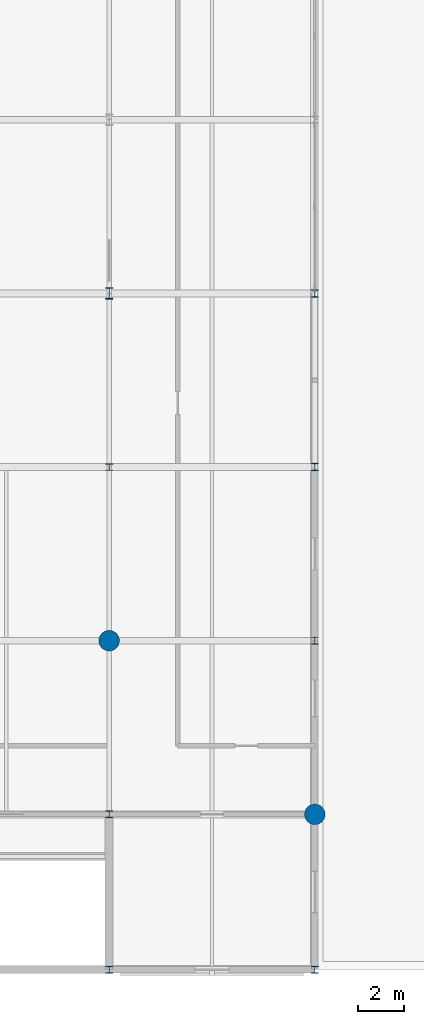
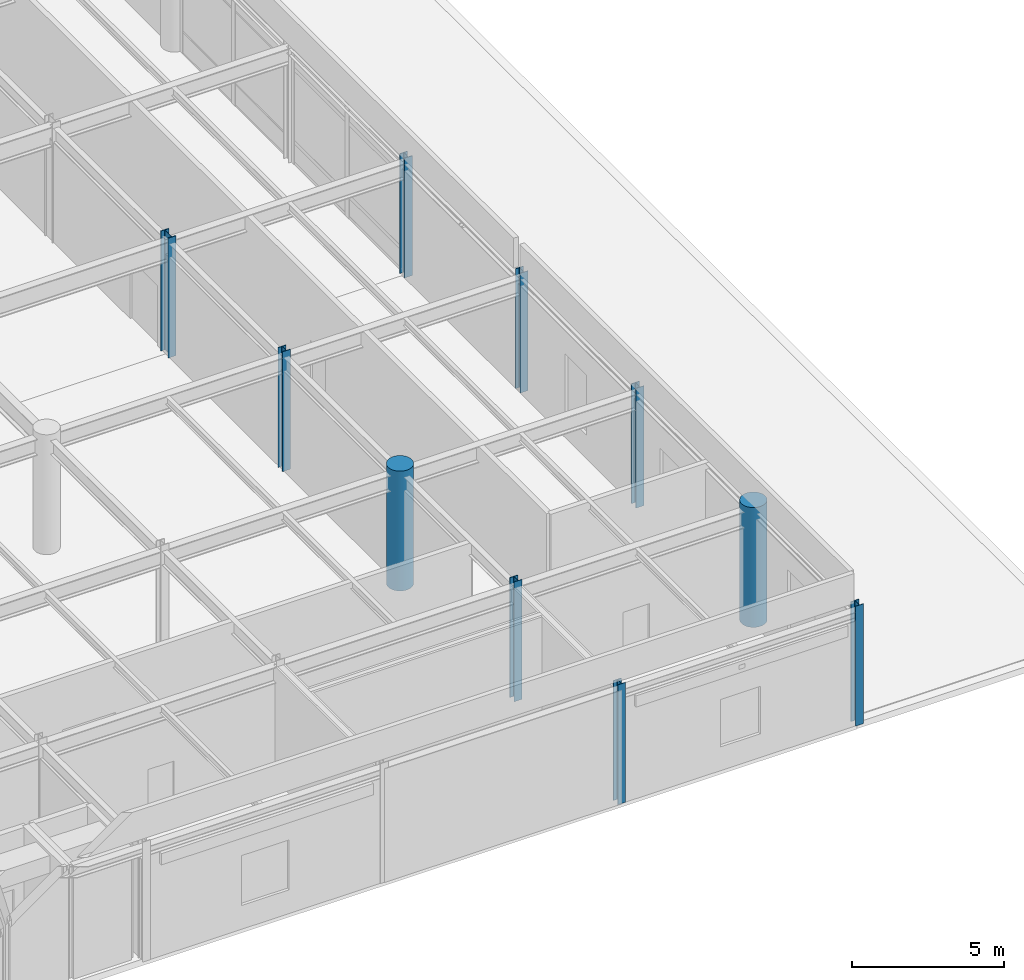
# One storey, part 6 of 43: 10 columns.
"""IFC4 building model written with IfcOpenShell, lengths in metres."""

from ifc_helpers import new_model, si_unit, direction, frame, origin, origin_2d, place, context, subcontext, project, spatial, circle, i_section, extrude, material, material_profile, profile_set, type_object, element, save


model = new_model("IFC4")

# Units and contexts
model_context = context("Model", 3, precision=1e-05, world=origin(), true_north=direction((0.0, 1.0)))
body_context = subcontext(model_context, "Body", "Model", "MODEL_VIEW")
ifc_project = project(units=[si_unit("LENGTHUNIT", "METRE"), si_unit("AREAUNIT", "SQUARE_METRE"), si_unit("VOLUMEUNIT", "CUBIC_METRE"), si_unit("PLANEANGLEUNIT", "RADIAN"), si_unit("MASSUNIT", "GRAM", prefix="KILO")], contexts=[model_context])

# Site, building, storey
site_placement = place(None, origin())
site = spatial("IfcSite", under=ifc_project, at=site_placement, CompositionType="ELEMENT")
building_placement = place(site_placement, origin())
building = spatial("IfcBuilding", under=site, at=building_placement, Name="Shalkamar Park Central Library", CompositionType="ELEMENT")
storey_placement = place(building_placement, frame((0.0, 0.0, 15.60009765625)))
storey = spatial("IfcBuildingStorey", under=building, at=storey_placement, Name="L04", CompositionType="ELEMENT", Elevation=15.60009765625)

# Columns
ifc_material_1 = material(Name="Concrete C40/50", Category="concrete")
ifc_material_profile_1 = material_profile(ifc_material_1, circle(Radius=0.449951171875, at=origin_2d()), Name="RC D900")
ifc_profile_set_1 = profile_set([ifc_material_profile_1], Name="Concrete C40/50")
column_type_1 = type_object("IfcColumnType", Name="Column Concrete RCD900", PredefinedType="COLUMN", material=ifc_profile_set_1)
for number, where, z_axis, x_axis, name in (
    (1, (255.0, 262.800048828125, 0.0), (0.0, 0.0, 1.0), (1.0, 0.0, 0.0), "Column 18/D (L04)"),
    (2, (264.0, 255.199951171875, 0.0), (0.0, 0.0, 1.0), (1.0, 0.0, 0.0), "Column 19/C (L04)"),
):
    element("IfcColumn", number, at=place(storey_placement, frame(where, z_axis=z_axis, x_axis=x_axis)), inside=storey, type_object=column_type_1, Name=name, PredefinedType="COLUMN", context=body_context, shape_type="SweptSolid", body=[
        extrude(circle(Radius=0.449951171875, at=origin_2d()), origin(), (0.0, 0.0, 1.0), 4.7998046875),
    ])
ifc_material_2 = material(Name="Steel S355", Category="steel")
ifc_material_profile_2 = material_profile(ifc_material_2, i_section(OverallWidth=0.300048828125, OverallDepth=0.300048828125, WebThickness=0.010986328125, FlangeThickness=0.01904296875, FilletRadius=0.027099609375, at=origin_2d()), Name="HEB 300")
ifc_profile_set_2 = profile_set([ifc_material_profile_2], Name="Steel S355")
column_type_2 = type_object("IfcColumnType", Name="Column Steel HEB300", PredefinedType="COLUMN", material=ifc_profile_set_2)
for number, where, z_axis, x_axis, name in (
    (3, (255.0, 248.39990234375, 0.0), (0.0, 0.0, 1.0), (1.0, 0.0, 0.0), "Column 18/B (L04)"),
    (4, (255.0, 255.199951171875, 0.0), (0.0, 0.0, 1.0), (1.0, 0.0, 0.0), "Column 18/C (L04)"),
    (5, (255.0, 270.39990234375, 0.0), (0.0, 0.0, 1.0), (1.0, 0.0, 0.0), "Column 18/E (L04)"),
):
    element("IfcColumn", number, at=place(storey_placement, frame(where, z_axis=z_axis, x_axis=x_axis)), inside=storey, type_object=column_type_2, Name=name, PredefinedType="COLUMN", context=body_context, shape_type="SweptSolid", body=[
        extrude(i_section(OverallWidth=0.300048828125, OverallDepth=0.300048828125, WebThickness=0.010986328125, FlangeThickness=0.01904296875, FilletRadius=0.027099609375, at=origin_2d()), origin(), (0.0, 0.0, 1.0), 4.7998046875),
    ])
ifc_material_profile_3 = material_profile(ifc_material_2, i_section(OverallWidth=0.300048828125, OverallDepth=0.320068359375, WebThickness=0.011474609375, FlangeThickness=0.0205078125, FilletRadius=0.027099609375, at=origin_2d()), Name="HEB 320")
ifc_profile_set_3 = profile_set([ifc_material_profile_3], Name="Steel S355")
column_type_3 = type_object("IfcColumnType", Name="Column Steel HEB320", PredefinedType="COLUMN", material=ifc_profile_set_3)
for number, where, z_axis, x_axis, name in (
    (6, (264.0, 248.39990234375, 0.0), (0.0, 0.0, 1.0), (1.0, 0.0, 0.0), "Column 19/B (L04)"),
    (7, (264.0, 262.800048828125, 0.0), (0.0, 0.0, 1.0), (1.0, 0.0, 0.0), "Column 19/D (L04)"),
    (8, (264.0, 270.39990234375, 0.0), (0.0, 0.0, 1.0), (1.0, 0.0, 0.0), "Column 19/E (L04)"),
    (9, (264.0, 278.0, 0.0), (0.0, 0.0, 1.0), (1.0, 0.0, 0.0), "Column 19/F (L04)"),
):
    element("IfcColumn", number, at=place(storey_placement, frame(where, z_axis=z_axis, x_axis=x_axis)), inside=storey, type_object=column_type_3, Name=name, PredefinedType="COLUMN", context=body_context, shape_type="SweptSolid", body=[
        extrude(i_section(OverallWidth=0.300048828125, OverallDepth=0.320068359375, WebThickness=0.011474609375, FlangeThickness=0.0205078125, FilletRadius=0.027099609375, at=origin_2d()), origin(), (0.0, 0.0, 1.0), 4.7998046875),
    ])
ifc_material_profile_4 = material_profile(ifc_material_2, i_section(OverallWidth=0.300048828125, OverallDepth=0.5, WebThickness=0.014404296875, FlangeThickness=0.028076171875, FilletRadius=0.027099609375, at=origin_2d()), Name="HEB 500")
ifc_profile_set_4 = profile_set([ifc_material_profile_4], Name="Steel S355")
column_type_4 = type_object("IfcColumnType", Name="Column Steel HEB500", PredefinedType="COLUMN", material=ifc_profile_set_4)
column_placement = place(storey_placement, frame((255.0, 278.0, 0.0), z_axis=(0.0, 0.0, 1.0), x_axis=(1.0, 0.0, 0.0)))
element("IfcColumn", 10, at=column_placement, inside=storey, type_object=column_type_4, Name="Column 18/F (L04)", PredefinedType="COLUMN", context=body_context, shape_type="SweptSolid", body=[
    extrude(i_section(OverallWidth=0.300048828125, OverallDepth=0.5, WebThickness=0.014404296875, FlangeThickness=0.028076171875, FilletRadius=0.027099609375, at=origin_2d()), origin(), (0.0, 0.0, 1.0), 4.7998046875),
])

save(model, "model.ifc")
